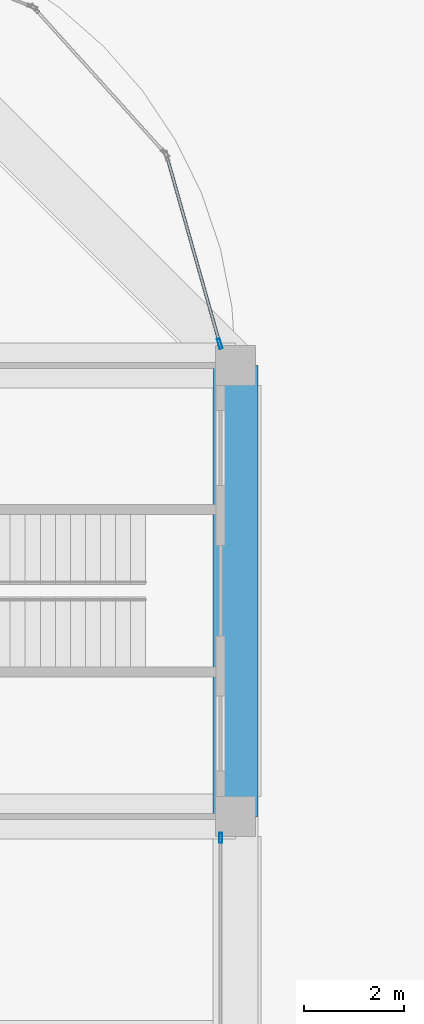
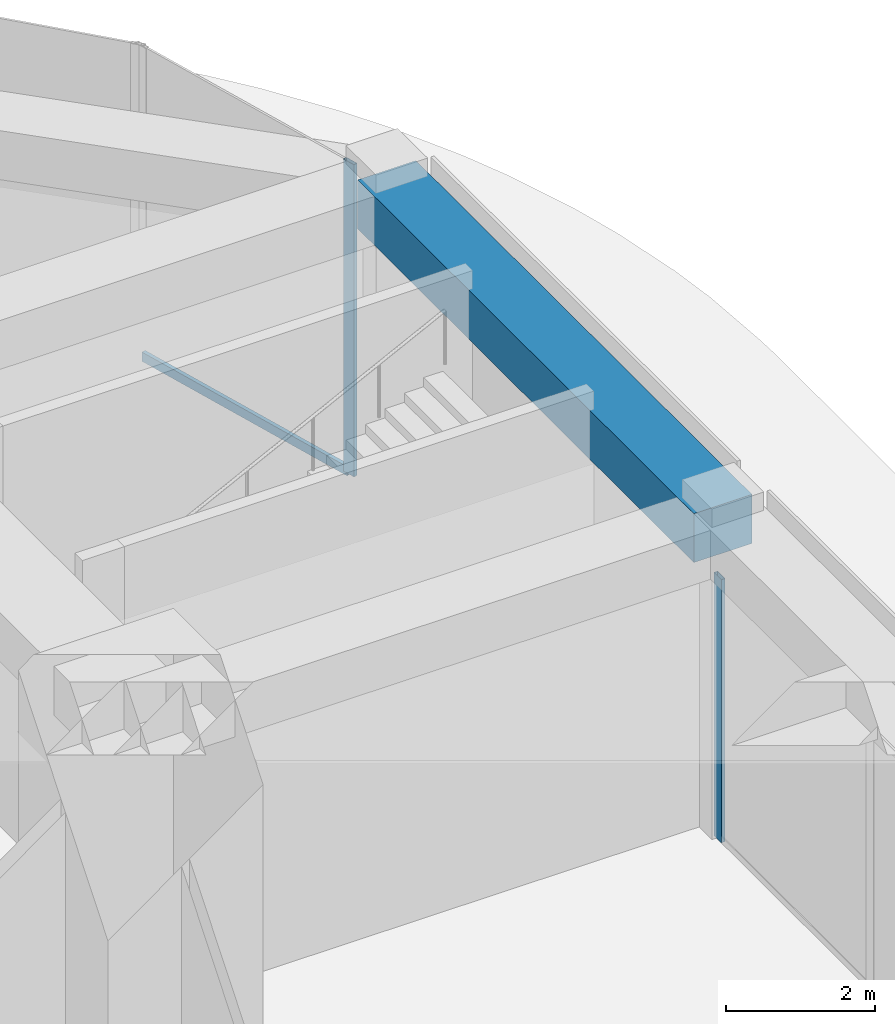
# One storey, part 36 of 56: 3 members, 1 beam, 2 elements without a shape of their own.
"""IFC4 building model written with IfcOpenShell, lengths in metres."""

import ifcopenshell
import ifcopenshell.guid

model = None  # the IFC model being written
_history = None  # IfcOwnerHistory: only IFC2X3 demands one
_inside = {}  # id of a spatial element -> (the spatial element, [elements in it])
_under = {}  # id of a project, library or spatial element -> (it, [spatial elements below it])
_declared = {}  # id of a project -> (the project, [libraries it declares])
_typed = {}  # id of a type object -> (the type object, [elements of that type])
_made_of = {}  # id of a material, layer set ... -> (it, [elements and type objects made of it])


def new_model(schema):
    """Start an empty IFC model of exactly this schema.

    Asked for "IFC4X3", IfcOpenShell would pick the latest addendum, in which some entities
    have other attributes; the version numbers below select the first issue.
    IFC2X3 requires an IfcOwnerHistory on every rooted entity: one is made here for all.
    """
    global model, _history
    if schema == "IFC4X3":
        model = ifcopenshell.file(schema_version=(4, 3, 0, 0))
    else:
        model = ifcopenshell.file(schema=schema)
    _inside.clear()
    _under.clear()
    _declared.clear()
    _typed.clear()
    _made_of.clear()
    _history = None
    if model.schema == "IFC2X3":
        org = make("IfcOrganization", Name="unknown")
        user = make(
            "IfcPersonAndOrganization",
            ThePerson=make("IfcPerson", FamilyName="unknown"),
            TheOrganization=org,
        )
        app = make(
            "IfcApplication",
            ApplicationDeveloper=org,
            Version="unknown",
            ApplicationFullName="unknown",
            ApplicationIdentifier="unknown",
        )
        _history = make(
            "IfcOwnerHistory",
            OwningUser=user,
            OwningApplication=app,
            ChangeAction="ADDED",
            CreationDate=0,
        )
    return model


def make(cls, **values):
    """One entity of the class cls with the attributes given. An attribute that is None is left unset."""
    return model.create_entity(
        cls, **{name: value for name, value in values.items() if value is not None}
    )


def rooted(cls, **values):
    """An entity with a GlobalId (a new one), such as an element, a storey or a relation."""
    return make(cls, GlobalId=ifcopenshell.guid.new(), OwnerHistory=_history, **values)


def si_unit(unit_type, name, prefix=None):
    """IfcSIUnit, for example si_unit("LENGTHUNIT", "METRE", prefix="MILLI")."""
    return make("IfcSIUnit", UnitType=unit_type, Prefix=prefix, Name=name)


def assignment(units):
    """IfcUnitAssignment: the units of a project."""
    return None if units is None else make("IfcUnitAssignment", Units=units)


def point(xyz):
    """IfcCartesianPoint."""
    return None if xyz is None else make("IfcCartesianPoint", Coordinates=xyz)


def direction(xyz):
    """IfcDirection."""
    return None if xyz is None else make("IfcDirection", DirectionRatios=xyz)


def frame(location, z_axis=None, x_axis=None):
    """IfcAxis2Placement3D, a coordinate frame: its origin and axes. An axis left out is left unset."""
    return make(
        "IfcAxis2Placement3D",
        Location=point(location),
        Axis=direction(z_axis),
        RefDirection=direction(x_axis),
    )


def frame_2d(location, x_axis=None):
    """IfcAxis2Placement2D, a coordinate frame in the plane: its origin and x axis."""
    return make(
        "IfcAxis2Placement2D", Location=point(location), RefDirection=direction(x_axis)
    )


def origin():
    """The frame at (0, 0, 0) with its axes left unset."""
    return frame((0.0, 0.0, 0.0))


def origin_2d():
    """The frame at (0, 0) in the plane with its x axis left unset."""
    return frame_2d((0.0, 0.0))


def place(relative_to, where):
    """IfcLocalPlacement: puts the frame where relative to a parent placement (None: the world)."""
    return make(
        "IfcLocalPlacement", PlacementRelTo=relative_to, RelativePlacement=where
    )


def context(
    kind, dimensions, precision=None, world=None, true_north=None, identifier=None
):
    """IfcGeometricRepresentationContext, for example the 3D "Model" context."""
    return make(
        "IfcGeometricRepresentationContext",
        ContextIdentifier=identifier,
        ContextType=kind,
        CoordinateSpaceDimension=dimensions,
        Precision=precision,
        WorldCoordinateSystem=world,
        TrueNorth=true_north,
    )


def subcontext(parent, identifier, kind, view, scale=None):
    """IfcGeometricRepresentationSubContext, for example "Body" below "Model"."""
    return make(
        "IfcGeometricRepresentationSubContext",
        ContextIdentifier=identifier,
        ContextType=kind,
        ParentContext=parent,
        TargetScale=scale,
        TargetView=view,
    )


def project(units=None, contexts=None):
    """IfcProject with its units and contexts."""
    return rooted(
        "IfcProject",
        Name="project",
        RepresentationContexts=contexts,
        UnitsInContext=assignment(units),
    )


def spatial(cls, under=None, at=None, **own):
    """A site, building, storey or space (cls), placed at a placement, below another one or the project."""
    s = rooted(cls, ObjectPlacement=at, **own)
    if under is not None:
        _under.setdefault(under.id(), (under, []))[1].append(s)
    return s


def profile(cls, at=None, kind="AREA", **sizes):
    """A parametric profile (cls). Its sizes go by their IFC names, for example OverallWidth=200.0."""
    return make(cls, ProfileType=kind, Position=at, **sizes)


def rectangle(**sizes):
    """IfcRectangleProfileDef."""
    return profile("IfcRectangleProfileDef", **sizes)


def hollow_rectangle(**sizes):
    """IfcRectangleHollowProfileDef."""
    return profile("IfcRectangleHollowProfileDef", **sizes)


def extrude(swept, where, along, depth):
    """IfcExtrudedAreaSolid: the profile swept, set in the frame where, extruded along a direction by depth."""
    return make(
        "IfcExtrudedAreaSolid",
        SweptArea=swept,
        Position=where,
        ExtrudedDirection=direction(along),
        Depth=depth,
    )


def shape(context_of_items, identifier, shape_type, items):
    """IfcShapeRepresentation: the items that make up one representation, for example the "Body"."""
    return make(
        "IfcShapeRepresentation",
        ContextOfItems=context_of_items,
        RepresentationIdentifier=identifier,
        RepresentationType=shape_type,
        Items=items,
    )


def material(Name=None, Category=None):
    """IfcMaterial."""
    return make("IfcMaterial", Name=Name, Category=Category)


def material_profile(
    of_material, cross_section, Name=None, Category=None, Priority=None
):
    """IfcMaterialProfile: a cross section and its material."""
    return make(
        "IfcMaterialProfile",
        Name=Name,
        Material=of_material,
        Profile=cross_section,
        Priority=Priority,
        Category=Category,
    )


def profile_set(profiles, Name=None, composite=None):
    """IfcMaterialProfileSet."""
    return make(
        "IfcMaterialProfileSet",
        Name=Name,
        MaterialProfiles=profiles,
        CompositeProfile=composite,
    )


def made_of(thing, what):
    """Note that an element or type object is made of a material, layer set ...; save() writes the relation."""
    if what is not None:
        _made_of.setdefault(what.id(), (what, []))[1].append(thing)
    return thing


def type_object(cls, material=None, **own):
    """A type object (cls), such as IfcWallType, which elements share."""
    return made_of(rooted(cls, **own), material)


def element(
    cls,
    number,
    at=None,
    inside=None,
    cuts=None,
    type_object=None,
    material=None,
    context=None,
    identifier="Body",
    shape_type=None,
    held_by="IfcProductDefinitionShape",
    body=None,
    shapes=None,
    **own,
):
    """One element of the class cls, such as IfcWall. Its Tag is "e" and its number.

    at: its placement. inside: the storey or other place that contains it. cuts: it is an
    opening in that element (IfcRelVoidsElement). A single representation is given by context,
    identifier, shape_type and body (its items); several are given by shapes. held_by: the class
    of the entity that holds the representations. save() writes the other relations.
    """
    e = rooted(cls, Tag="e%d" % number, ObjectPlacement=at, **own)
    if body is not None:
        shapes = [shape(context, identifier, shape_type, body)]
    if shapes is not None:
        e.Representation = make(held_by, Representations=shapes)
    if inside is not None:
        _inside.setdefault(inside.id(), (inside, []))[1].append(e)
    if cuts is not None:
        rooted(
            "IfcRelVoidsElement", RelatingBuildingElement=cuts, RelatedOpeningElement=e
        )
    if type_object is not None:
        _typed.setdefault(type_object.id(), (type_object, []))[1].append(e)
    return made_of(e, material)


def aggregate(whole, parts):
    """IfcRelAggregates: a whole, such as a stair, and the parts it consists of."""
    return rooted("IfcRelAggregates", RelatingObject=whole, RelatedObjects=parts)


def save(model, path):
    """Write the relations noted so far, then the file.

    IfcRelAggregates (storeys below a building ...), IfcRelContainedInSpatialStructure (elements
    in a storey), IfcRelDefinesByType, IfcRelAssociatesMaterial and IfcRelDeclares: one each for
    every whole, place, type object, material and project.
    """
    for whole, parts in _under.values():
        aggregate(whole, parts)
    for where, things in _inside.values():
        rooted(
            "IfcRelContainedInSpatialStructure",
            RelatedElements=things,
            RelatingStructure=where,
        )
    for kind, things in _typed.values():
        rooted("IfcRelDefinesByType", RelatedObjects=things, RelatingType=kind)
    for what, things in _made_of.values():
        rooted("IfcRelAssociatesMaterial", RelatedObjects=things, RelatingMaterial=what)
    for by, libraries in _declared.values():
        rooted("IfcRelDeclares", RelatingContext=by, RelatedDefinitions=libraries)
    model.write(path)


model = new_model("IFC4")

# Units and contexts
model_context = context("Model", 3, precision=1e-05, world=origin(), true_north=direction((0.0, 1.0)))
body_context = subcontext(model_context, "Body", "Model", "MODEL_VIEW")
ifc_project = project(units=[si_unit("LENGTHUNIT", "METRE"), si_unit("AREAUNIT", "SQUARE_METRE"), si_unit("VOLUMEUNIT", "CUBIC_METRE"), si_unit("PLANEANGLEUNIT", "RADIAN"), si_unit("MASSUNIT", "GRAM", prefix="KILO")], contexts=[model_context])

# Site, building, storey
site_placement = place(None, origin())
site = spatial("IfcSite", under=ifc_project, at=site_placement, CompositionType="ELEMENT")
building_placement = place(site_placement, origin())
building = spatial("IfcBuilding", under=site, at=building_placement, Name="Zorevar Civic Tower", CompositionType="ELEMENT")
storey_placement = place(building_placement, origin())
storey = spatial("IfcBuildingStorey", under=building, at=storey_placement, Name="L00", CompositionType="ELEMENT", Elevation=0.0)

# Curtain wall, member
ifc_material_1 = material(Name="Dark grey solar-control glass in black aluminium frame", Category="aluminium")
curtain_wall_type = type_object("IfcCurtainWallType", Name="Curtain wall CW1 podium", PredefinedType="NOTDEFINED", material=ifc_material_1)
curtain_wall_1_placement = place(storey_placement, origin())
curtain_wall_1 = element("IfcCurtainWall", 1, at=curtain_wall_1_placement, inside=storey, type_object=curtain_wall_type, Name="CW1 L00", PredefinedType="NOTDEFINED")
ifc_material_2 = material(Name="Aluminium, black anodised", Category="aluminium")
ifc_material_profile_1 = material_profile(ifc_material_2, hollow_rectangle(XDim=0.06005859375, YDim=0.199951171875, WallThickness=0.00390625, at=origin_2d()), Name="AL 200x60x4")
ifc_profile_set_1 = profile_set([ifc_material_profile_1], Name="Aluminium, black anodised")
member_type_1 = type_object("IfcMemberType", Name="CW1 mullion AL 200x60x4", PredefinedType="MULLION", material=ifc_profile_set_1)
member_1_placement = place(storey_placement, frame((71.699951171875, 35.570068359375, 0.0), z_axis=(0.0, 0.0, 1.0), x_axis=(-1.0, 0.0, 0.0)))
member_1 = element("IfcMember", 2, at=member_1_placement, type_object=member_type_1, Name="CW1 mullion 3", PredefinedType="MULLION", context=body_context, shape_type="SweptSolid", body=[
    extrude(hollow_rectangle(XDim=0.06005859375, YDim=0.199951171875, WallThickness=0.00390625, at=origin_2d()), origin(), (0.0, 0.0, 1.0), 4.300048828125),
])
aggregate(curtain_wall_1, [member_1])

# Curtain wall, members
curtain_wall_2_placement = place(storey_placement, origin())
curtain_wall_2 = element("IfcCurtainWall", 3, at=curtain_wall_2_placement, inside=storey, type_object=curtain_wall_type, Name="CW1 L00", PredefinedType="NOTDEFINED")
member_2_placement = place(storey_placement, frame((71.6826171875, 45.428955078125, 0.0), z_axis=(0.0, 0.0, 1.0), x_axis=(-0.962390725943, -0.271669082929, 0.0)))
member_2 = element("IfcMember", 4, at=member_2_placement, type_object=member_type_1, Name="CW1 mullion 1", PredefinedType="MULLION", context=body_context, shape_type="SweptSolid", body=[
    extrude(hollow_rectangle(XDim=0.06005859375, YDim=0.199951171875, WallThickness=0.00390625, at=origin_2d()), origin(), (0.0, 0.0, 1.0), 5.10009765625),
])
ifc_material_3 = material(Name="Aluminium, black anodised", Category="aluminium")
ifc_material_profile_2 = material_profile(ifc_material_3, hollow_rectangle(XDim=0.06005859375, YDim=0.14990234375, WallThickness=0.00390625, at=origin_2d()), Name="AL 150x60x4")
ifc_profile_set_2 = profile_set([ifc_material_profile_2], Name="Aluminium, black anodised")
member_type_2 = type_object("IfcMemberType", Name="CW1 transom AL 150x60x4", PredefinedType="USERDEFINED", material=ifc_profile_set_2)
member_3_placement = place(storey_placement, frame((71.67431640625, 45.457763671875, 0.030029296875), z_axis=(-0.271656874729, 0.962394172059, 0.0), x_axis=(-0.962394172059, -0.271656874729, 0.0)))
member_3 = element("IfcMember", 5, at=member_3_placement, type_object=member_type_2, Name="CW1 sill transom", ObjectType="TRANSOM", PredefinedType="USERDEFINED", context=body_context, shape_type="SweptSolid", body=[
    extrude(hollow_rectangle(XDim=0.06005859375, YDim=0.14990234375, WallThickness=0.00390625, at=origin_2d()), origin(), (0.0, 0.0, 1.0), 3.83203125),
])
aggregate(curtain_wall_2, [member_2, member_3])

# Beam
ifc_material_4 = material(Name="Concrete C50/60", Category="concrete")
ifc_material_profile_3 = material_profile(ifc_material_4, rectangle(XDim=0.89990234375, YDim=0.800048828125, at=origin_2d()), Name="RC 900x800")
ifc_profile_set_3 = profile_set([ifc_material_profile_3], Name="Concrete C50/60")
beam_type = type_object("IfcBeamType", Name="Edge beam RC 900x800", PredefinedType="SPANDREL", material=ifc_profile_set_3)
beam_placement = place(storey_placement, frame((72.0, 36.0, 4.699951171875), z_axis=(0.0, 1.0, 0.0), x_axis=(-1.0, 0.0, 0.0)))
element("IfcBeam", 6, at=beam_placement, inside=storey, type_object=beam_type, Name="Edge beam L01", PredefinedType="SPANDREL", context=body_context, shape_type="SweptSolid", body=[
    extrude(rectangle(XDim=0.89990234375, YDim=0.800048828125, at=origin_2d()), origin(), (0.0, 0.0, 1.0), 9.0),
])

save(model, "model.ifc")
